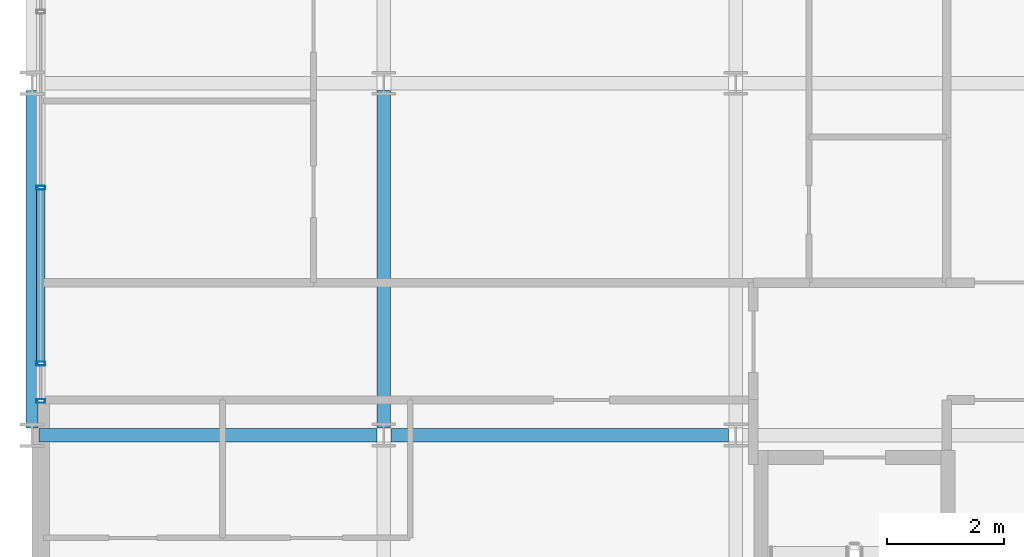
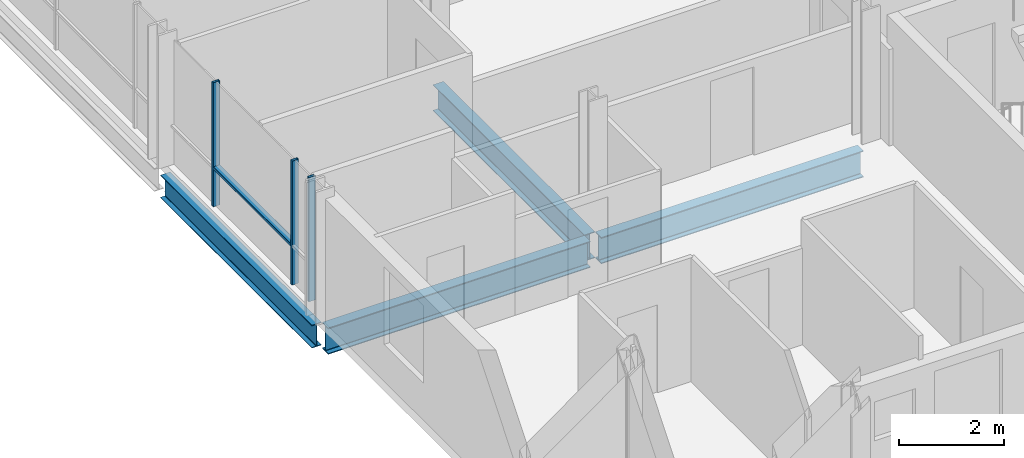
# One storey, part 4 of 41: 4 beams, 4 members, 1 element without a shape of its own.
"""IFC4 building model written with IfcOpenShell, lengths in metres."""

from ifc_helpers import new_model, si_unit, direction, frame, origin, origin_2d, place, context, subcontext, project, spatial, hollow_rectangle, i_section, extrude, material, layer, layer_set, material_profile, profile_set, type_object, element, aggregate, save


model = new_model("IFC4")

# Units and contexts
model_context = context("Model", 3, precision=1e-05, world=origin(), true_north=direction((0.0, 1.0)))
body_context = subcontext(model_context, "Body", "Model", "MODEL_VIEW")
ifc_project = project(units=[si_unit("LENGTHUNIT", "METRE"), si_unit("AREAUNIT", "SQUARE_METRE"), si_unit("VOLUMEUNIT", "CUBIC_METRE"), si_unit("PLANEANGLEUNIT", "RADIAN"), si_unit("MASSUNIT", "GRAM", prefix="KILO")], contexts=[model_context])

# Site, building, storey
site_placement = place(None, origin())
site = spatial("IfcSite", under=ifc_project, at=site_placement, CompositionType="ELEMENT")
building_placement = place(site_placement, origin())
building = spatial("IfcBuilding", under=site, at=building_placement, Name="Brevholm Reach", CompositionType="ELEMENT")
storey_placement = place(building_placement, frame((0.0, 0.0, 163.5)))
storey = spatial("IfcBuildingStorey", under=building, at=storey_placement, Name="L49", CompositionType="ELEMENT", Elevation=163.5)

# Beams
ifc_material_1 = material(Name="Structural Steel S355J2", Category="steel")
ifc_material_profile_1 = material_profile(ifc_material_1, i_section(OverallWidth=0.209228515625, OverallDepth=0.533203125, WebThickness=0.010009765625, FlangeThickness=0.015625, FilletRadius=0.0126953125, at=origin_2d()), Name="UKB 533x210x92")
ifc_profile_set_1 = profile_set([ifc_material_profile_1], Name="Structural Steel S355J2")
beam_type_1 = type_object("IfcBeamType", Name="BM-SP533", PredefinedType="SPANDREL", material=ifc_profile_set_1)
beam_placement = place(storey_placement, frame((0.0, 10.1201171875, -0.486572265625), z_axis=(0.0, 1.0, 0.0), x_axis=(-1.0, 0.0, 0.0)))
element("IfcBeam", 1, at=beam_placement, inside=storey, type_object=beam_type_1, Name="L49 SP-02 Framing Beam", PredefinedType="SPANDREL", context=body_context, shape_type="SweptSolid", body=[
    extrude(i_section(OverallWidth=0.209228515625, OverallDepth=0.533203125, WebThickness=0.010009765625, FlangeThickness=0.015625, FilletRadius=0.0126953125, at=origin_2d()), origin(), (0.0, 0.0, 1.0), 5.759765625),
])
ifc_material_2 = material(Name="Structural Steel S355J2", Category="steel")
ifc_material_profile_2 = material_profile(ifc_material_2, i_section(OverallWidth=0.22900390625, OverallDepth=0.6123046875, WebThickness=0.011962890625, FlangeThickness=0.01953125, FilletRadius=0.0126953125, at=origin_2d()), Name="UKB 610x229x125")
ifc_profile_set_2 = profile_set([ifc_material_profile_2], Name="Structural Steel S355J2")
beam_type_2 = type_object("IfcBeamType", Name="BM-SP610", PredefinedType="SPANDREL", material=ifc_profile_set_2)
for number, where, z_axis, x_axis, name in (
    (2, (0.1201171875, 10.0, -0.526123046875), (1.0, 0.0, 0.0), (0.0, 1.0, 0.0), "L49 SP-01 Framing Beam"),
    (3, (6.1201171875, 10.0, -0.526123046875), (1.0, 0.0, 0.0), (0.0, 1.0, 0.0), "L49 SP-01 Framing Beam"),
    (4, (6.0, 10.1201171875, -0.526123046875), (0.0, 1.0, 0.0), (-1.0, 0.0, 0.0), "L49 SP-01 Framing Beam"),
):
    element("IfcBeam", number, at=place(storey_placement, frame(where, z_axis=z_axis, x_axis=x_axis)), inside=storey, type_object=beam_type_2, Name=name, PredefinedType="SPANDREL", context=body_context, shape_type="SweptSolid", body=[
        extrude(i_section(OverallWidth=0.22900390625, OverallDepth=0.6123046875, WebThickness=0.011962890625, FlangeThickness=0.01953125, FilletRadius=0.0126953125, at=origin_2d()), origin(), (0.0, 0.0, 1.0), 5.759765625),
    ])

# Curtain wall, members
ifc_material_3 = material(Name="Dark Anodised Aluminium 6063-T6 and Solar-Control Glass", Category="aluminium")
ifc_layer = layer(ifc_material_3, 0.14990234375)
ifc_layer_set = layer_set([ifc_layer], Name="Dark Anodised Aluminium 6063-T6 and Solar-Control Glass")
curtain_wall_type = type_object("IfcCurtainWallType", Name="CW-01", PredefinedType="NOTDEFINED", material=ifc_layer_set)
curtain_wall_placement = place(storey_placement, origin())
curtain_wall = element("IfcCurtainWall", 5, at=curtain_wall_placement, inside=storey, type_object=curtain_wall_type, Name="L49 Curtain Wall CW-01", PredefinedType="NOTDEFINED")
ifc_material_4 = material(Name="Dark Anodised Aluminium 6063-T6", Category="aluminium")
ifc_material_profile_3 = material_profile(ifc_material_4, hollow_rectangle(XDim=0.06494140625, YDim=0.14990234375, WallThickness=0.0048828125, InnerFilletRadius=0.0048828125, OuterFilletRadius=0.010009765625, at=origin_2d()), Name="RHS 150x65x5")
ifc_profile_set_3 = profile_set([ifc_material_profile_3], Name="Dark Anodised Aluminium 6063-T6")
member_type_1 = type_object("IfcMemberType", Name="CWM-150", PredefinedType="MULLION", material=ifc_profile_set_3)
member_1_placement = place(storey_placement, frame((0.14990234375, 14.219970703125, 0.0), z_axis=(0.0, 0.0, 1.0), x_axis=(0.0, -1.0, 0.0)))
member_1 = element("IfcMember", 6, at=member_1_placement, type_object=member_type_1, Name="CM-150 Mullion 4", PredefinedType="MULLION", context=body_context, shape_type="SweptSolid", body=[
    extrude(hollow_rectangle(XDim=0.06494140625, YDim=0.14990234375, WallThickness=0.0048828125, InnerFilletRadius=0.0048828125, OuterFilletRadius=0.010009765625, at=origin_2d()), origin(), (0.0, 0.0, 1.0), 2.8798828125),
])
member_2_placement = place(storey_placement, frame((0.14990234375, 11.219970703125, 0.0), z_axis=(0.0, 0.0, 1.0), x_axis=(0.0, -1.0, 0.0)))
member_2 = element("IfcMember", 7, at=member_2_placement, type_object=member_type_1, Name="CM-150 Mullion 5", PredefinedType="MULLION", context=body_context, shape_type="SweptSolid", body=[
    extrude(hollow_rectangle(XDim=0.06494140625, YDim=0.14990234375, WallThickness=0.0048828125, InnerFilletRadius=0.0048828125, OuterFilletRadius=0.010009765625, at=origin_2d()), origin(), (0.0, 0.0, 1.0), 2.8798828125),
])
member_3_placement = place(storey_placement, frame((0.14990234375, 10.58251953125, 0.0), z_axis=(0.0, 0.0, 1.0), x_axis=(0.0, -1.0, 0.0)))
member_3 = element("IfcMember", 8, at=member_3_placement, type_object=member_type_1, Name="CM-150 Mullion 6", PredefinedType="MULLION", context=body_context, shape_type="SweptSolid", body=[
    extrude(hollow_rectangle(XDim=0.06494140625, YDim=0.14990234375, WallThickness=0.0048828125, InnerFilletRadius=0.0048828125, OuterFilletRadius=0.010009765625, at=origin_2d()), origin(), (0.0, 0.0, 1.0), 2.8798828125),
])
ifc_material_5 = material(Name="Dark Anodised Aluminium 6063-T6", Category="aluminium")
ifc_material_profile_4 = material_profile(ifc_material_5, hollow_rectangle(XDim=0.06494140625, YDim=0.14990234375, WallThickness=0.0048828125, InnerFilletRadius=0.0048828125, OuterFilletRadius=0.010009765625, at=origin_2d()), Name="RHS 150x65x5")
ifc_profile_set_4 = profile_set([ifc_material_profile_4], Name="Dark Anodised Aluminium 6063-T6")
member_type_2 = type_object("IfcMemberType", Name="CWT-150", PredefinedType="NOTDEFINED", material=ifc_profile_set_4)
member_4_placement = place(storey_placement, frame((0.14990234375, 14.1875, 0.89990234375), z_axis=(0.0, -1.0, 0.0), x_axis=(0.0, 0.0, 1.0)))
member_4 = element("IfcMember", 9, at=member_4_placement, type_object=member_type_2, Name="CT-150 Transom 4.1", ObjectType="TRANSOM", PredefinedType="USERDEFINED", context=body_context, shape_type="SweptSolid", body=[
    extrude(hollow_rectangle(XDim=0.06494140625, YDim=0.14990234375, WallThickness=0.0048828125, InnerFilletRadius=0.0048828125, OuterFilletRadius=0.010009765625, at=origin_2d()), origin(), (0.0, 0.0, 1.0), 2.93505859375),
])
aggregate(curtain_wall, [member_1, member_2, member_3, member_4])

save(model, "model.ifc")
